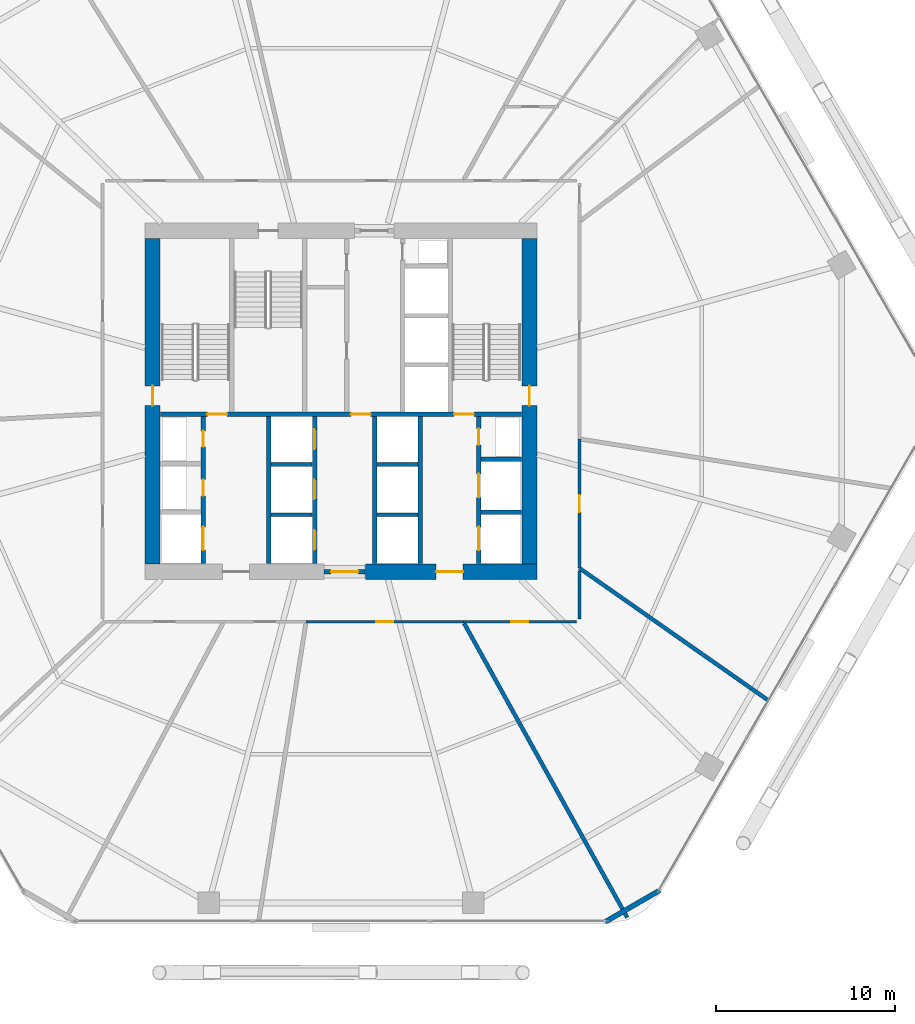
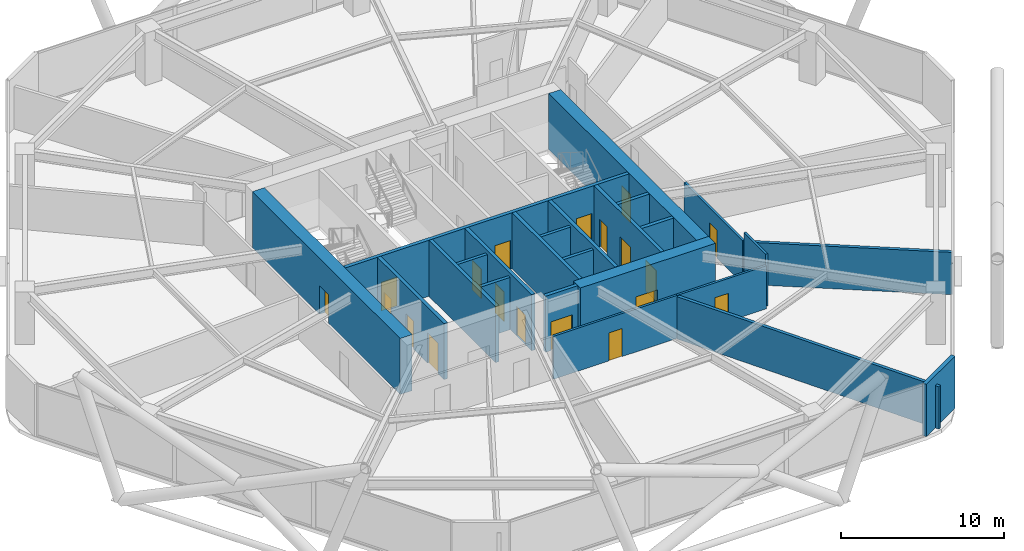
# One storey, part 25 of 30: 24 walls, 19 doors, 19 openings.
"""IFC4 building model written with IfcOpenShell, lengths in metres."""

from ifc_helpers import new_model, si_unit, direction, frame, frame_2d, origin, place, context, subcontext, project, spatial, rectangle, extrude, material, layer, layer_set, type_object, element, fill, save


model = new_model("IFC4")

# Units and contexts
model_context = context("Model", 3, precision=1e-05, world=origin(), true_north=direction((0.0, 1.0)))
body_context = subcontext(model_context, "Body", "Model", "MODEL_VIEW")
ifc_project = project(units=[si_unit("LENGTHUNIT", "METRE"), si_unit("AREAUNIT", "SQUARE_METRE"), si_unit("VOLUMEUNIT", "CUBIC_METRE"), si_unit("PLANEANGLEUNIT", "RADIAN"), si_unit("MASSUNIT", "GRAM", prefix="KILO")], contexts=[model_context])

# Site, building, storey
site_placement = place(None, origin())
site = spatial("IfcSite", under=ifc_project, at=site_placement, CompositionType="ELEMENT")
building_placement = place(site_placement, origin())
building = spatial("IfcBuilding", under=site, at=building_placement, Name="Zuhravey Tower", CompositionType="ELEMENT")
storey_placement = place(building_placement, frame((0.0, 0.0, 33.0)))
storey = spatial("IfcBuildingStorey", under=building, at=storey_placement, Name="L08", CompositionType="ELEMENT", Elevation=33.0)

# Wall, opening, door
ifc_material_1 = material(Name="Concrete C60/75", Category="concrete")
ifc_layer_1 = layer(ifc_material_1, 0.85009765625)
ifc_layer_set_1 = layer_set([ifc_layer_1], Name="Concrete C60/75")
wall_type_1 = type_object("IfcWallType", Name="Core Shear Wall 850", PredefinedType="SHEAR", material=ifc_layer_set_1)
wall_1_placement = place(storey_placement, frame((37.35009765625, 22.5, 0.0), z_axis=(0.0, 0.0, 1.0), x_axis=(1.0, 0.0, 0.0)))
wall_1 = element("IfcWall", 1, at=wall_1_placement, inside=storey, type_object=wall_type_1, Name="L08 South-East Core Shear Wall CW85", PredefinedType="SHEAR", context=body_context, shape_type="SweptSolid", body=[
    extrude(rectangle(XDim=9.574951171875, YDim=0.85009765625, at=frame_2d((4.78759765625, 0.0))), origin(), (0.0, 0.0, 1.0), 4.199951171875),
])
opening_1_placement = place(wall_1_placement, frame((3.949951171875, 0.0, 0.0)))
opening_1 = element("IfcOpeningElement", 2, at=opening_1_placement, cuts=wall_1, Name="Opening FFD1", PredefinedType="OPENING", context=body_context, shape_type="SweptSolid", body=[
    extrude(rectangle(XDim=1.5, YDim=2.14990234375, at=frame_2d((0.75, 1.074951171875))), frame((0.0, 0.43701171875, 0.0), z_axis=(0.0, -1.0, 0.0), x_axis=(1.0, 0.0, 0.0)), (0.0, 0.0, 1.0), 0.8740234375),
])
ifc_material_2 = material(Name="Galvanised fire-rated steel leaf", Category="steel")
door_type_1 = type_object("IfcDoorType", Name="Firefighting Lobby Double Door 1500x2150", OperationType="DOUBLE_DOOR_SINGLE_SWING", PredefinedType="DOOR", material=ifc_material_2)
door_1_placement = place(opening_1_placement, origin())
door_1 = element("IfcDoor", 3, at=door_1_placement, inside=storey, type_object=door_type_1, Name="L08 Firefighting Lobby East Door", OperationType="DOUBLE_DOOR_SINGLE_SWING", OverallHeight=2.14990234375, OverallWidth=1.5, PredefinedType="DOOR", context=body_context, shape_type="SweptSolid", body=[
    extrude(rectangle(XDim=1.5, YDim=2.14990234375, at=frame_2d((0.75, 1.074951171875))), frame((0.0, 0.02490234375, 0.0), z_axis=(0.0, -1.0, 0.0), x_axis=(1.0, 0.0, 0.0)), (0.0, 0.0, 1.0), 0.050048828125),
])
fill(opening_1, door_1)

wall_2_placement = place(storey_placement, frame((25.5, 22.925048828125, 0.0), z_axis=(0.0, 0.0, 1.0), x_axis=(0.0, 1.0, 0.0)))
wall_2 = element("IfcWall", 4, at=wall_2_placement, inside=storey, type_object=wall_type_1, Name="L08 West Core Shear Wall CW85", PredefinedType="SHEAR", context=body_context, shape_type="SweptSolid", body=[
    extrude(rectangle(XDim=18.14990234375, YDim=0.85009765625, at=frame_2d((9.074951171875, 0.0))), origin(), (0.0, 0.0, 1.0), 4.199951171875),
])
opening_2_placement = place(wall_2_placement, frame((8.824951171875, 0.0, 0.0)))
opening_2 = element("IfcOpeningElement", 5, at=opening_2_placement, cuts=wall_2, Name="Opening STD1", PredefinedType="OPENING", context=body_context, shape_type="SweptSolid", body=[
    extrude(rectangle(XDim=1.10009765625, YDim=2.14990234375, at=frame_2d((0.550048828125, 1.074951171875))), frame((0.0, 0.43701171875, 0.0), z_axis=(0.0, -1.0, 0.0), x_axis=(1.0, 0.0, 0.0)), (0.0, 0.0, 1.0), 0.8740234375),
])
door_type_2 = type_object("IfcDoorType", Name="Protected Stair Fire Door 1100x2150", OperationType="NOTDEFINED", PredefinedType="USERDEFINED", material=ifc_material_2)
door_2_placement = place(opening_2_placement, frame((1.10009765625, 0.0, 0.0), z_axis=(0.0, 0.0, 1.0), x_axis=(-1.0, 0.0, 0.0)))
door_2 = element("IfcDoor", 6, at=door_2_placement, inside=storey, type_object=door_type_2, Name="L08 Stair ST1 Door", ObjectType="EXITDOOR", OperationType="SINGLE_SWING_LEFT", OverallHeight=2.14990234375, OverallWidth=1.10009765625, PredefinedType="USERDEFINED", context=body_context, shape_type="SweptSolid", body=[
    extrude(rectangle(XDim=1.10009765625, YDim=2.14990234375, at=frame_2d((0.550048828125, 1.074951171875))), frame((0.0, 0.02490234375, 0.0), z_axis=(0.0, -1.0, 0.0), x_axis=(1.0, 0.0, 0.0)), (0.0, 0.0, 1.0), 0.050048828125),
])
fill(opening_2, door_2)

wall_3_placement = place(storey_placement, frame((46.5, 22.925048828125, 0.0), z_axis=(0.0, 0.0, 1.0), x_axis=(0.0, 1.0, 0.0)))
wall_3 = element("IfcWall", 7, at=wall_3_placement, inside=storey, type_object=wall_type_1, Name="L08 East Core Shear Wall CW85", PredefinedType="SHEAR", context=body_context, shape_type="SweptSolid", body=[
    extrude(rectangle(XDim=18.14990234375, YDim=0.85009765625, at=frame_2d((9.074951171875, 0.0))), origin(), (0.0, 0.0, 1.0), 4.199951171875),
])
opening_3_placement = place(wall_3_placement, frame((8.824951171875, 0.0, 0.0)))
opening_3 = element("IfcOpeningElement", 8, at=opening_3_placement, cuts=wall_3, Name="Opening STD1", PredefinedType="OPENING", context=body_context, shape_type="SweptSolid", body=[
    extrude(rectangle(XDim=1.10009765625, YDim=2.14990234375, at=frame_2d((0.550048828125, 1.074951171875))), frame((0.0, 0.43701171875, 0.0), z_axis=(0.0, -1.0, 0.0), x_axis=(1.0, 0.0, 0.0)), (0.0, 0.0, 1.0), 0.8740234375),
])
door_3_placement = place(opening_3_placement, origin())
door_3 = element("IfcDoor", 9, at=door_3_placement, inside=storey, type_object=door_type_2, Name="L08 Stair ST2 Door", ObjectType="EXITDOOR", OperationType="SINGLE_SWING_RIGHT", OverallHeight=2.14990234375, OverallWidth=1.10009765625, PredefinedType="USERDEFINED", context=body_context, shape_type="SweptSolid", body=[
    extrude(rectangle(XDim=1.10009765625, YDim=2.14990234375, at=frame_2d((0.550048828125, 1.074951171875))), frame((0.0, 0.02490234375, 0.0), z_axis=(0.0, -1.0, 0.0), x_axis=(1.0, 0.0, 0.0)), (0.0, 0.0, 1.0), 0.050048828125),
])
fill(opening_3, door_3)

ifc_material_3 = material(Name="Gypsum fire-rated stud partition")
ifc_layer_2 = layer(ifc_material_3, 0.159912109375)
ifc_layer_set_2 = layer_set([ifc_layer_2], Name="Gypsum fire-rated stud partition")
wall_type_2 = type_object("IfcWallType", Name="Corridor Fire Partition 160", PredefinedType="PARTITIONING", material=ifc_layer_set_2)
wall_4_placement = place(storey_placement, frame((34.05419921875, 19.715087890625, 0.0), z_axis=(0.0, 0.0, 1.0), x_axis=(1.0, 0.0, 0.0)))
wall_4 = element("IfcWall", 10, at=wall_4_placement, inside=storey, type_object=wall_type_2, Name="L08 IW16 Partition 030", PredefinedType="PARTITIONING", context=body_context, shape_type="SweptSolid", body=[
    extrude(rectangle(XDim=8.755615234375, YDim=0.159912109375, at=frame_2d((4.3779296875, 0.0))), origin(), (0.0, 0.0, 1.0), 3.219970703125),
])
opening_4_placement = place(wall_4_placement, frame((3.902587890625, 0.0, 0.0)))
opening_4 = element("IfcOpeningElement", 11, at=opening_4_placement, cuts=wall_4, Name="Opening IND1", PredefinedType="OPENING", context=body_context, shape_type="SweptSolid", body=[
    extrude(rectangle(XDim=0.949951171875, YDim=2.10009765625, at=frame_2d((0.47509765625, 1.050048828125))), frame((0.0, 0.092041015625, 0.0), z_axis=(0.0, -1.0, 0.0), x_axis=(1.0, 0.0, 0.0)), (0.0, 0.0, 1.0), 0.183837890625),
])
ifc_material_4 = material(Name="Painted engineered timber leaf", Category="wood")
door_type_3 = type_object("IfcDoorType", Name="Internal Room & Bedroom Door 950x2100", OperationType="NOTDEFINED", PredefinedType="DOOR", material=ifc_material_4)
door_4_placement = place(opening_4_placement, frame((0.949951171875, 0.0, 0.0), z_axis=(0.0, 0.0, 1.0), x_axis=(-1.0, 0.0, 0.0)))
door_4 = element("IfcDoor", 12, at=door_4_placement, inside=storey, type_object=door_type_3, Name="L08 Door 030.1", OperationType="SINGLE_SWING_RIGHT", OverallHeight=2.10009765625, OverallWidth=0.949951171875, PredefinedType="DOOR", context=body_context, shape_type="SweptSolid", body=[
    extrude(rectangle(XDim=0.949951171875, YDim=2.10009765625, at=frame_2d((0.47509765625, 1.050048828125))), frame((0.0, 0.02490234375, 0.0), z_axis=(0.0, -1.0, 0.0), x_axis=(1.0, 0.0, 0.0)), (0.0, 0.0, 1.0), 0.050048828125),
])
fill(opening_4, door_4)

wall_5_placement = place(storey_placement, frame((42.809814453125, 19.715087890625, 0.0), z_axis=(0.0, 0.0, 1.0), x_axis=(1.0, 0.0, 0.0)))
wall_5 = element("IfcWall", 13, at=wall_5_placement, inside=storey, type_object=wall_type_2, Name="L08 IW16 Partition 031", PredefinedType="PARTITIONING", context=body_context, shape_type="SweptSolid", body=[
    extrude(rectangle(XDim=6.315185546875, YDim=0.159912109375, at=frame_2d((3.15771484375, 0.0))), origin(), (0.0, 0.0, 1.0), 3.219970703125),
])
opening_5_placement = place(wall_5_placement, frame((2.6826171875, 0.0, 0.0)))
opening_5 = element("IfcOpeningElement", 14, at=opening_5_placement, cuts=wall_5, Name="Opening IND1", PredefinedType="OPENING", context=body_context, shape_type="SweptSolid", body=[
    extrude(rectangle(XDim=0.949951171875, YDim=2.10009765625, at=frame_2d((0.47509765625, 1.050048828125))), frame((0.0, 0.092041015625, 0.0), z_axis=(0.0, -1.0, 0.0), x_axis=(1.0, 0.0, 0.0)), (0.0, 0.0, 1.0), 0.183837890625),
])
door_5_placement = place(opening_5_placement, frame((0.949951171875, 0.0, 0.0), z_axis=(0.0, 0.0, 1.0), x_axis=(-1.0, 0.0, 0.0)))
door_5 = element("IfcDoor", 15, at=door_5_placement, inside=storey, type_object=door_type_3, Name="L08 Door 031.1", OperationType="SINGLE_SWING_LEFT", OverallHeight=2.10009765625, OverallWidth=0.949951171875, PredefinedType="DOOR", context=body_context, shape_type="SweptSolid", body=[
    extrude(rectangle(XDim=0.949951171875, YDim=2.10009765625, at=frame_2d((0.47509765625, 1.050048828125))), frame((0.0, 0.02490234375, 0.0), z_axis=(0.0, -1.0, 0.0), x_axis=(1.0, 0.0, 0.0)), (0.0, 0.0, 1.0), 0.050048828125),
])
fill(opening_5, door_5)

wall_6_placement = place(storey_placement, frame((49.284912109375, 22.69775390625, 0.0), z_axis=(0.0, 0.0, 1.0), x_axis=(0.0, 1.0, 0.0)))
wall_6 = element("IfcWall", 16, at=wall_6_placement, inside=storey, type_object=wall_type_2, Name="L08 IW16 Partition 032", PredefinedType="PARTITIONING", context=body_context, shape_type="SweptSolid", body=[
    extrude(rectangle(XDim=7.1982421875, YDim=0.159912109375, at=frame_2d((3.59912109375, 0.0))), origin(), (0.0, 0.0, 1.0), 3.219970703125),
])
opening_6_placement = place(wall_6_placement, frame((3.1240234375, 0.0, 0.0)))
opening_6 = element("IfcOpeningElement", 17, at=opening_6_placement, cuts=wall_6, Name="Opening IND1", PredefinedType="OPENING", context=body_context, shape_type="SweptSolid", body=[
    extrude(rectangle(XDim=0.949951171875, YDim=2.10009765625, at=frame_2d((0.47509765625, 1.050048828125))), frame((0.0, 0.092041015625, 0.0), z_axis=(0.0, -1.0, 0.0), x_axis=(1.0, 0.0, 0.0)), (0.0, 0.0, 1.0), 0.183837890625),
])
door_6_placement = place(opening_6_placement, frame((0.949951171875, 0.0, 0.0), z_axis=(0.0, 0.0, 1.0), x_axis=(-1.0, 0.0, 0.0)))
door_6 = element("IfcDoor", 18, at=door_6_placement, inside=storey, type_object=door_type_3, Name="L08 Door 032.1", OperationType="SINGLE_SWING_RIGHT", OverallHeight=2.10009765625, OverallWidth=0.949951171875, PredefinedType="DOOR", context=body_context, shape_type="SweptSolid", body=[
    extrude(rectangle(XDim=0.949951171875, YDim=2.10009765625, at=frame_2d((0.47509765625, 1.050048828125))), frame((0.0, 0.02490234375, 0.0), z_axis=(0.0, -1.0, 0.0), x_axis=(1.0, 0.0, 0.0)), (0.0, 0.0, 1.0), 0.050048828125),
])
fill(opening_6, door_6)

# Walls
wall_7_placement = place(storey_placement, frame((49.284912109375, 19.875, 0.0), z_axis=(0.0, 0.0, 1.0), x_axis=(0.0, 1.0, 0.0)))
element("IfcWall", 19, at=wall_7_placement, inside=storey, type_object=wall_type_2, Name="L08 IW16 Partition 060", PredefinedType="PARTITIONING", context=body_context, shape_type="SweptSolid", body=[
    extrude(rectangle(XDim=2.6787109375, YDim=0.159912109375, at=frame_2d((1.33935546875, 0.0))), origin(), (0.0, 0.0, 1.0), 3.919921875),
])
ifc_material_5 = material(Name="Precast concrete C40/50", Category="concrete")
ifc_layer_3 = layer(ifc_material_5, 0.280029296875)
ifc_layer_set_3 = layer_set([ifc_layer_3], Name="Precast concrete C40/50")
wall_type_3 = type_object("IfcWallType", Name="Crown Architectural Wall 280", PredefinedType="SOLIDWALL", material=ifc_layer_set_3)
wall_8_placement = place(storey_placement, frame((53.76123046875, 4.75146484375, 0.0), z_axis=(0.0, 0.0, 1.0), x_axis=(-0.866007452331, -0.500031091541, 0.0)))
element("IfcWall", 20, at=wall_8_placement, inside=storey, type_object=wall_type_3, Name="L08 Rounded Corner Closure Wall EW28-02", PredefinedType="SOLIDWALL", context=body_context, shape_type="SweptSolid", body=[
    extrude(rectangle(XDim=3.514892578125, YDim=0.280029296875, at=frame_2d((1.75732421875, 0.0))), origin(), (0.0, 0.0, 1.0), 3.919921875),
])

# Wall, opening, door
ifc_material_6 = material(Name="Concrete C50/60", Category="concrete")
ifc_layer_4 = layer(ifc_material_6, 0.25)
ifc_layer_set_4 = layer_set([ifc_layer_4], Name="Concrete C50/60")
wall_type_4 = type_object("IfcWallType", Name="Firefighting Shaft & Stair Wall 250", PredefinedType="SOLIDWALL", material=ifc_layer_set_4)
wall_9_placement = place(storey_placement, frame((35.06005859375, 22.5, 0.0), z_axis=(0.0, 0.0, 1.0), x_axis=(1.0, 0.0, 0.0)))
wall_9 = element("IfcWall", 21, at=wall_9_placement, inside=storey, type_object=wall_type_4, Name="L08 FW25 Shaft Wall 001", PredefinedType="SOLIDWALL", context=body_context, shape_type="SweptSolid", body=[
    extrude(rectangle(XDim=2.280029296875, YDim=0.25, at=frame_2d((1.14013671875, 0.0))), origin(), (0.0, 0.0, 1.0), 4.199951171875),
])
opening_7_placement = place(wall_9_placement, frame((0.389892578125, 0.0, 0.0)))
opening_7 = element("IfcOpeningElement", 22, at=opening_7_placement, cuts=wall_9, Name="Opening FFD1", PredefinedType="OPENING", context=body_context, shape_type="SweptSolid", body=[
    extrude(rectangle(XDim=1.5, YDim=2.14990234375, at=frame_2d((0.75, 1.074951171875))), frame((0.0, 0.136962890625, 0.0), z_axis=(0.0, -1.0, 0.0), x_axis=(1.0, 0.0, 0.0)), (0.0, 0.0, 1.0), 0.27392578125),
])
door_7_placement = place(opening_7_placement, frame((1.5, 0.0, 0.0), z_axis=(0.0, 0.0, 1.0), x_axis=(-1.0, 0.0, 0.0)))
door_7 = element("IfcDoor", 23, at=door_7_placement, inside=storey, type_object=door_type_1, Name="L08 South Lift Lobby Exit Door", OperationType="DOUBLE_DOOR_SINGLE_SWING", OverallHeight=2.14990234375, OverallWidth=1.5, PredefinedType="DOOR", context=body_context, shape_type="SweptSolid", body=[
    extrude(rectangle(XDim=1.5, YDim=2.14990234375, at=frame_2d((0.75, 1.074951171875))), frame((0.0, 0.02490234375, 0.0), z_axis=(0.0, -1.0, 0.0), x_axis=(1.0, 0.0, 0.0)), (0.0, 0.0, 1.0), 0.050048828125),
])
fill(opening_7, door_7)

# Wall, openings, doors
wall_10_placement = place(storey_placement, frame((25.949951171875, 31.27490234375, 0.0), z_axis=(0.0, 0.0, 1.0), x_axis=(1.0, 0.0, 0.0)))
wall_10 = element("IfcWall", 24, at=wall_10_placement, inside=storey, type_object=wall_type_4, Name="L08 FW25 Shaft Wall 003", PredefinedType="SOLIDWALL", context=body_context, shape_type="SweptSolid", body=[
    extrude(rectangle(XDim=20.10009765625, YDim=0.25, at=frame_2d((10.050048828125, 0.0))), origin(), (0.0, 0.0, 1.0), 4.199951171875),
])
opening_8_placement = place(wall_10_placement, frame((2.60009765625, 0.0, 0.0)))
opening_8 = element("IfcOpeningElement", 25, at=opening_8_placement, cuts=wall_10, Name="Opening STD1", PredefinedType="OPENING", context=body_context, shape_type="SweptSolid", body=[
    extrude(rectangle(XDim=1.10009765625, YDim=2.14990234375, at=frame_2d((0.550048828125, 1.074951171875))), frame((0.0, 0.136962890625, 0.0), z_axis=(0.0, -1.0, 0.0), x_axis=(1.0, 0.0, 0.0)), (0.0, 0.0, 1.0), 0.27392578125),
])
opening_9_placement = place(wall_10_placement, frame((10.60009765625, 0.0, 0.0)))
opening_9 = element("IfcOpeningElement", 26, at=opening_9_placement, cuts=wall_10, Name="Opening STD1", PredefinedType="OPENING", context=body_context, shape_type="SweptSolid", body=[
    extrude(rectangle(XDim=1.10009765625, YDim=2.14990234375, at=frame_2d((0.550048828125, 1.074951171875))), frame((0.0, 0.136962890625, 0.0), z_axis=(0.0, -1.0, 0.0), x_axis=(1.0, 0.0, 0.0)), (0.0, 0.0, 1.0), 0.27392578125),
])
opening_10_placement = place(wall_10_placement, frame((16.35009765625, 0.0, 0.0)))
opening_10 = element("IfcOpeningElement", 27, at=opening_10_placement, cuts=wall_10, Name="Opening STD1", PredefinedType="OPENING", context=body_context, shape_type="SweptSolid", body=[
    extrude(rectangle(XDim=1.10009765625, YDim=2.14990234375, at=frame_2d((0.550048828125, 1.074951171875))), frame((0.0, 0.136962890625, 0.0), z_axis=(0.0, -1.0, 0.0), x_axis=(1.0, 0.0, 0.0)), (0.0, 0.0, 1.0), 0.27392578125),
])
door_8_placement = place(opening_8_placement, origin())
door_8 = element("IfcDoor", 28, at=door_8_placement, inside=storey, type_object=door_type_2, Name="L08 FFL-W to ST1 Door", ObjectType="EXITDOOR", OperationType="SINGLE_SWING_RIGHT", OverallHeight=2.14990234375, OverallWidth=1.10009765625, PredefinedType="USERDEFINED", context=body_context, shape_type="SweptSolid", body=[
    extrude(rectangle(XDim=1.10009765625, YDim=2.14990234375, at=frame_2d((0.550048828125, 1.074951171875))), frame((0.0, 0.02490234375, 0.0), z_axis=(0.0, -1.0, 0.0), x_axis=(1.0, 0.0, 0.0)), (0.0, 0.0, 1.0), 0.050048828125),
])
fill(opening_8, door_8)
door_9_placement = place(opening_9_placement, origin())
door_9 = element("IfcDoor", 29, at=door_9_placement, inside=storey, type_object=door_type_2, Name="L08 Core Lobby Link Door", ObjectType="EXITDOOR", OperationType="SINGLE_SWING_LEFT", OverallHeight=2.14990234375, OverallWidth=1.10009765625, PredefinedType="USERDEFINED", context=body_context, shape_type="SweptSolid", body=[
    extrude(rectangle(XDim=1.10009765625, YDim=2.14990234375, at=frame_2d((0.550048828125, 1.074951171875))), frame((0.0, 0.02490234375, 0.0), z_axis=(0.0, -1.0, 0.0), x_axis=(1.0, 0.0, 0.0)), (0.0, 0.0, 1.0), 0.050048828125),
])
fill(opening_9, door_9)
door_10_placement = place(opening_10_placement, origin())
door_10 = element("IfcDoor", 30, at=door_10_placement, inside=storey, type_object=door_type_2, Name="L08 FFL-E to ST2 Door", ObjectType="EXITDOOR", OperationType="SINGLE_SWING_RIGHT", OverallHeight=2.14990234375, OverallWidth=1.10009765625, PredefinedType="USERDEFINED", context=body_context, shape_type="SweptSolid", body=[
    extrude(rectangle(XDim=1.10009765625, YDim=2.14990234375, at=frame_2d((0.550048828125, 1.074951171875))), frame((0.0, 0.02490234375, 0.0), z_axis=(0.0, -1.0, 0.0), x_axis=(1.0, 0.0, 0.0)), (0.0, 0.0, 1.0), 0.050048828125),
])
fill(opening_10, door_10)

wall_11_placement = place(storey_placement, frame((28.324951171875, 22.949951171875, 0.0), z_axis=(0.0, 0.0, 1.0), x_axis=(0.0, 1.0, 0.0)))
wall_11 = element("IfcWall", 31, at=wall_11_placement, inside=storey, type_object=wall_type_4, Name="L08 FW25 Shaft Wall 011", PredefinedType="SOLIDWALL", context=body_context, shape_type="SweptSolid", body=[
    extrude(rectangle(XDim=8.199951171875, YDim=0.25, at=frame_2d((4.10009765625, 0.0))), origin(), (0.0, 0.0, 1.0), 4.199951171875),
])
opening_11_placement = place(wall_11_placement, frame((0.75, 0.0, 0.0)))
opening_11 = element("IfcOpeningElement", 32, at=opening_11_placement, cuts=wall_11, Name="Opening LD2", PredefinedType="OPENING", context=body_context, shape_type="SweptSolid", body=[
    extrude(rectangle(XDim=1.300048828125, YDim=2.300048828125, at=frame_2d((0.64990234375, 1.14990234375))), frame((0.0, 0.136962890625, 0.0), z_axis=(0.0, -1.0, 0.0), x_axis=(1.0, 0.0, 0.0)), (0.0, 0.0, 1.0), 0.27392578125),
])
opening_12_placement = place(wall_11_placement, frame((3.780029296875, 0.0, 0.0)))
opening_12 = element("IfcOpeningElement", 33, at=opening_12_placement, cuts=wall_11, Name="Opening RSD1", PredefinedType="OPENING", context=body_context, shape_type="SweptSolid", body=[
    extrude(rectangle(XDim=0.89990234375, YDim=2.10009765625, at=frame_2d((0.449951171875, 1.050048828125))), frame((0.0, 0.136962890625, 0.0), z_axis=(0.0, -1.0, 0.0), x_axis=(1.0, 0.0, 0.0)), (0.0, 0.0, 1.0), 0.27392578125),
])
opening_13_placement = place(wall_11_placement, frame((6.5, 0.0, 0.0)))
opening_13 = element("IfcOpeningElement", 34, at=opening_13_placement, cuts=wall_11, Name="Opening RSD1", PredefinedType="OPENING", context=body_context, shape_type="SweptSolid", body=[
    extrude(rectangle(XDim=0.89990234375, YDim=2.10009765625, at=frame_2d((0.449951171875, 1.050048828125))), frame((0.0, 0.136962890625, 0.0), z_axis=(0.0, -1.0, 0.0), x_axis=(1.0, 0.0, 0.0)), (0.0, 0.0, 1.0), 0.27392578125),
])
ifc_material_7 = material(Name="Brushed stainless steel", Category="steel")
door_type_4 = type_object("IfcDoorType", Name="Freight & Stretcher Lift Sliding Door 1300x2300", OperationType="DOUBLE_DOOR_SLIDING", PredefinedType="DOOR", material=ifc_material_7)
door_11_placement = place(opening_11_placement, frame((1.300048828125, 0.0, 0.0), z_axis=(0.0, 0.0, 1.0), x_axis=(-1.0, 0.0, 0.0)))
door_11 = element("IfcDoor", 35, at=door_11_placement, inside=storey, type_object=door_type_4, Name="L08 Lift FF1 Landing Door", OperationType="DOUBLE_DOOR_SLIDING", OverallHeight=2.300048828125, OverallWidth=1.300048828125, PredefinedType="DOOR", context=body_context, shape_type="SweptSolid", body=[
    extrude(rectangle(XDim=1.300048828125, YDim=2.300048828125, at=frame_2d((0.64990234375, 1.14990234375))), frame((0.0, 0.02490234375, 0.0), z_axis=(0.0, -1.0, 0.0), x_axis=(1.0, 0.0, 0.0)), (0.0, 0.0, 1.0), 0.050048828125),
])
fill(opening_11, door_11)
ifc_material_8 = material(Name="Galvanised fire-rated steel access leaf", Category="steel")
door_type_5 = type_object("IfcDoorType", Name="Riser & Shaft Access Fire Door 900x2100", OperationType="NOTDEFINED", PredefinedType="DOOR", material=ifc_material_8)
door_12_placement = place(opening_12_placement, frame((0.89990234375, 0.0, 0.0), z_axis=(0.0, 0.0, 1.0), x_axis=(-1.0, 0.0, 0.0)))
door_12 = element("IfcDoor", 36, at=door_12_placement, inside=storey, type_object=door_type_5, Name="L08 Electrical Riser Door", OperationType="SINGLE_SWING_RIGHT", OverallHeight=2.10009765625, OverallWidth=0.89990234375, PredefinedType="DOOR", context=body_context, shape_type="SweptSolid", body=[
    extrude(rectangle(XDim=0.89990234375, YDim=2.10009765625, at=frame_2d((0.449951171875, 1.050048828125))), frame((0.0, 0.02490234375, 0.0), z_axis=(0.0, -1.0, 0.0), x_axis=(1.0, 0.0, 0.0)), (0.0, 0.0, 1.0), 0.050048828125),
])
fill(opening_12, door_12)
door_13_placement = place(opening_13_placement, frame((0.89990234375, 0.0, 0.0), z_axis=(0.0, 0.0, 1.0), x_axis=(-1.0, 0.0, 0.0)))
door_13 = element("IfcDoor", 37, at=door_13_placement, inside=storey, type_object=door_type_5, Name="L08 Smoke Shaft Access Door", OperationType="SINGLE_SWING_LEFT", OverallHeight=2.10009765625, OverallWidth=0.89990234375, PredefinedType="DOOR", context=body_context, shape_type="SweptSolid", body=[
    extrude(rectangle(XDim=0.89990234375, YDim=2.10009765625, at=frame_2d((0.449951171875, 1.050048828125))), frame((0.0, 0.02490234375, 0.0), z_axis=(0.0, -1.0, 0.0), x_axis=(1.0, 0.0, 0.0)), (0.0, 0.0, 1.0), 0.050048828125),
])
fill(opening_13, door_13)

# Wall
wall_12_placement = place(storey_placement, frame((31.97509765625, 22.949951171875, 0.0), z_axis=(0.0, 0.0, 1.0), x_axis=(0.0, 1.0, 0.0)))
element("IfcWall", 38, at=wall_12_placement, inside=storey, type_object=wall_type_4, Name="L08 FW25 Shaft Wall 012", PredefinedType="SOLIDWALL", context=body_context, shape_type="SweptSolid", body=[
    extrude(rectangle(XDim=8.199951171875, YDim=0.25, at=frame_2d((4.10009765625, 0.0))), origin(), (0.0, 0.0, 1.0), 4.199951171875),
])

# Wall, openings, doors
wall_13_placement = place(storey_placement, frame((34.52490234375, 22.949951171875, 0.0), z_axis=(0.0, 0.0, 1.0), x_axis=(0.0, 1.0, 0.0)))
wall_13 = element("IfcWall", 39, at=wall_13_placement, inside=storey, type_object=wall_type_4, Name="L08 FW25 Shaft Wall 013", PredefinedType="SOLIDWALL", context=body_context, shape_type="SweptSolid", body=[
    extrude(rectangle(XDim=8.199951171875, YDim=0.25, at=frame_2d((4.10009765625, 0.0))), origin(), (0.0, 0.0, 1.0), 4.199951171875),
])
opening_14_placement = place(wall_13_placement, frame((0.77490234375, 0.0, 0.0)))
opening_14 = element("IfcOpeningElement", 40, at=opening_14_placement, cuts=wall_13, Name="Opening LD1", PredefinedType="OPENING", context=body_context, shape_type="SweptSolid", body=[
    extrude(rectangle(XDim=1.10009765625, YDim=2.199951171875, at=frame_2d((0.550048828125, 1.10009765625))), frame((0.0, 0.136962890625, 0.0), z_axis=(0.0, -1.0, 0.0), x_axis=(1.0, 0.0, 0.0)), (0.0, 0.0, 1.0), 0.27392578125),
])
opening_15_placement = place(wall_13_placement, frame((3.574951171875, 0.0, 0.0)))
opening_15 = element("IfcOpeningElement", 41, at=opening_15_placement, cuts=wall_13, Name="Opening LD1", PredefinedType="OPENING", context=body_context, shape_type="SweptSolid", body=[
    extrude(rectangle(XDim=1.10009765625, YDim=2.199951171875, at=frame_2d((0.550048828125, 1.10009765625))), frame((0.0, 0.136962890625, 0.0), z_axis=(0.0, -1.0, 0.0), x_axis=(1.0, 0.0, 0.0)), (0.0, 0.0, 1.0), 0.27392578125),
])
opening_16_placement = place(wall_13_placement, frame((6.375, 0.0, 0.0)))
opening_16 = element("IfcOpeningElement", 42, at=opening_16_placement, cuts=wall_13, Name="Opening LD1", PredefinedType="OPENING", context=body_context, shape_type="SweptSolid", body=[
    extrude(rectangle(XDim=1.10009765625, YDim=2.199951171875, at=frame_2d((0.550048828125, 1.10009765625))), frame((0.0, 0.136962890625, 0.0), z_axis=(0.0, -1.0, 0.0), x_axis=(1.0, 0.0, 0.0)), (0.0, 0.0, 1.0), 0.27392578125),
])
door_type_6 = type_object("IfcDoorType", Name="Lift Landing Sliding Door 1100x2200", OperationType="DOUBLE_DOOR_SLIDING", PredefinedType="DOOR", material=ifc_material_7)
door_14_placement = place(opening_14_placement, frame((1.10009765625, 0.0, 0.0), z_axis=(0.0, 0.0, 1.0), x_axis=(-1.0, 0.0, 0.0)))
door_14 = element("IfcDoor", 43, at=door_14_placement, inside=storey, type_object=door_type_6, Name="L08 Lift PL1 Landing Door", OperationType="DOUBLE_DOOR_SLIDING", OverallHeight=2.199951171875, OverallWidth=1.10009765625, PredefinedType="DOOR", context=body_context, shape_type="SweptSolid", body=[
    extrude(rectangle(XDim=1.10009765625, YDim=2.199951171875, at=frame_2d((0.550048828125, 1.10009765625))), frame((0.0, 0.02490234375, 0.0), z_axis=(0.0, -1.0, 0.0), x_axis=(1.0, 0.0, 0.0)), (0.0, 0.0, 1.0), 0.050048828125),
])
fill(opening_14, door_14)
door_15_placement = place(opening_15_placement, frame((1.10009765625, 0.0, 0.0), z_axis=(0.0, 0.0, 1.0), x_axis=(-1.0, 0.0, 0.0)))
door_15 = element("IfcDoor", 44, at=door_15_placement, inside=storey, type_object=door_type_6, Name="L08 Lift PL2 Landing Door", OperationType="DOUBLE_DOOR_SLIDING", OverallHeight=2.199951171875, OverallWidth=1.10009765625, PredefinedType="DOOR", context=body_context, shape_type="SweptSolid", body=[
    extrude(rectangle(XDim=1.10009765625, YDim=2.199951171875, at=frame_2d((0.550048828125, 1.10009765625))), frame((0.0, 0.02490234375, 0.0), z_axis=(0.0, -1.0, 0.0), x_axis=(1.0, 0.0, 0.0)), (0.0, 0.0, 1.0), 0.050048828125),
])
fill(opening_15, door_15)
door_16_placement = place(opening_16_placement, frame((1.10009765625, 0.0, 0.0), z_axis=(0.0, 0.0, 1.0), x_axis=(-1.0, 0.0, 0.0)))
door_16 = element("IfcDoor", 45, at=door_16_placement, inside=storey, type_object=door_type_6, Name="L08 Lift PL3 Landing Door", OperationType="DOUBLE_DOOR_SLIDING", OverallHeight=2.199951171875, OverallWidth=1.10009765625, PredefinedType="DOOR", context=body_context, shape_type="SweptSolid", body=[
    extrude(rectangle(XDim=1.10009765625, YDim=2.199951171875, at=frame_2d((0.550048828125, 1.10009765625))), frame((0.0, 0.02490234375, 0.0), z_axis=(0.0, -1.0, 0.0), x_axis=(1.0, 0.0, 0.0)), (0.0, 0.0, 1.0), 0.050048828125),
])
fill(opening_16, door_16)

# Walls
for number, where, z_axis, x_axis, name in (
    (46, (37.875, 22.949951171875, 0.0), (0.0, 0.0, 1.0), (0.0, 1.0, 0.0), "L08 FW25 Shaft Wall 014"),
    (47, (40.425048828125, 22.949951171875, 0.0), (0.0, 0.0, 1.0), (0.0, 1.0, 0.0), "L08 FW25 Shaft Wall 015"),
):
    element("IfcWall", number, at=place(storey_placement, frame(where, z_axis=z_axis, x_axis=x_axis)), inside=storey, type_object=wall_type_4, Name=name, PredefinedType="SOLIDWALL", context=body_context, shape_type="SweptSolid", body=[
        extrude(rectangle(XDim=8.199951171875, YDim=0.25, at=frame_2d((4.10009765625, 0.0))), origin(), (0.0, 0.0, 1.0), 4.199951171875),
    ])
for number, where, z_axis, x_axis, name in (
    (48, (43.800048828125, 25.824951171875, 0.0), (0.0, 0.0, 1.0), (1.0, 0.0, 0.0), "L08 FW25 Shaft Wall 016"),
    (49, (43.800048828125, 28.77490234375, 0.0), (0.0, 0.0, 1.0), (1.0, 0.0, 0.0), "L08 FW25 Shaft Wall 017"),
):
    element("IfcWall", number, at=place(storey_placement, frame(where, z_axis=z_axis, x_axis=x_axis)), inside=storey, type_object=wall_type_4, Name=name, PredefinedType="SOLIDWALL", context=body_context, shape_type="SweptSolid", body=[
        extrude(rectangle(XDim=2.25, YDim=0.25, at=frame_2d((1.125, 0.0))), origin(), (0.0, 0.0, 1.0), 4.199951171875),
    ])

# Wall, openings, doors
wall_14_placement = place(storey_placement, frame((43.675048828125, 22.949951171875, 0.0), z_axis=(0.0, 0.0, 1.0), x_axis=(0.0, 1.0, 0.0)))
wall_14 = element("IfcWall", 50, at=wall_14_placement, inside=storey, type_object=wall_type_4, Name="L08 FW25 Shaft Wall 018", PredefinedType="SOLIDWALL", context=body_context, shape_type="SweptSolid", body=[
    extrude(rectangle(XDim=8.199951171875, YDim=0.25, at=frame_2d((4.10009765625, 0.0))), origin(), (0.0, 0.0, 1.0), 4.199951171875),
])
opening_17_placement = place(wall_14_placement, frame((0.75, 0.0, 0.0)))
opening_17 = element("IfcOpeningElement", 51, at=opening_17_placement, cuts=wall_14, Name="Opening LD2", PredefinedType="OPENING", context=body_context, shape_type="SweptSolid", body=[
    extrude(rectangle(XDim=1.300048828125, YDim=2.300048828125, at=frame_2d((0.64990234375, 1.14990234375))), frame((0.0, 0.136962890625, 0.0), z_axis=(0.0, -1.0, 0.0), x_axis=(1.0, 0.0, 0.0)), (0.0, 0.0, 1.0), 0.27392578125),
])
opening_18_placement = place(wall_14_placement, frame((3.699951171875, 0.0, 0.0)))
opening_18 = element("IfcOpeningElement", 52, at=opening_18_placement, cuts=wall_14, Name="Opening LD2", PredefinedType="OPENING", context=body_context, shape_type="SweptSolid", body=[
    extrude(rectangle(XDim=1.300048828125, YDim=2.300048828125, at=frame_2d((0.64990234375, 1.14990234375))), frame((0.0, 0.136962890625, 0.0), z_axis=(0.0, -1.0, 0.0), x_axis=(1.0, 0.0, 0.0)), (0.0, 0.0, 1.0), 0.27392578125),
])
opening_19_placement = place(wall_14_placement, frame((6.6201171875, 0.0, 0.0)))
opening_19 = element("IfcOpeningElement", 53, at=opening_19_placement, cuts=wall_14, Name="Opening RSD1", PredefinedType="OPENING", context=body_context, shape_type="SweptSolid", body=[
    extrude(rectangle(XDim=0.89990234375, YDim=2.10009765625, at=frame_2d((0.449951171875, 1.050048828125))), frame((0.0, 0.136962890625, 0.0), z_axis=(0.0, -1.0, 0.0), x_axis=(1.0, 0.0, 0.0)), (0.0, 0.0, 1.0), 0.27392578125),
])
door_17_placement = place(opening_17_placement, origin())
door_17 = element("IfcDoor", 54, at=door_17_placement, inside=storey, type_object=door_type_4, Name="L08 Lift FF2 Landing Door", OperationType="DOUBLE_DOOR_SLIDING", OverallHeight=2.300048828125, OverallWidth=1.300048828125, PredefinedType="DOOR", context=body_context, shape_type="SweptSolid", body=[
    extrude(rectangle(XDim=1.300048828125, YDim=2.300048828125, at=frame_2d((0.64990234375, 1.14990234375))), frame((0.0, 0.02490234375, 0.0), z_axis=(0.0, -1.0, 0.0), x_axis=(1.0, 0.0, 0.0)), (0.0, 0.0, 1.0), 0.050048828125),
])
fill(opening_17, door_17)
door_18_placement = place(opening_18_placement, origin())
door_18 = element("IfcDoor", 55, at=door_18_placement, inside=storey, type_object=door_type_4, Name="L08 Lift SV1 Landing Door", OperationType="DOUBLE_DOOR_SLIDING", OverallHeight=2.300048828125, OverallWidth=1.300048828125, PredefinedType="DOOR", context=body_context, shape_type="SweptSolid", body=[
    extrude(rectangle(XDim=1.300048828125, YDim=2.300048828125, at=frame_2d((0.64990234375, 1.14990234375))), frame((0.0, 0.02490234375, 0.0), z_axis=(0.0, -1.0, 0.0), x_axis=(1.0, 0.0, 0.0)), (0.0, 0.0, 1.0), 0.050048828125),
])
fill(opening_18, door_18)
door_19_placement = place(opening_19_placement, origin())
door_19 = element("IfcDoor", 56, at=door_19_placement, inside=storey, type_object=door_type_5, Name="L08 Plumbing Riser Door", OperationType="SINGLE_SWING_RIGHT", OverallHeight=2.10009765625, OverallWidth=0.89990234375, PredefinedType="DOOR", context=body_context, shape_type="SweptSolid", body=[
    extrude(rectangle(XDim=0.89990234375, YDim=2.10009765625, at=frame_2d((0.449951171875, 1.050048828125))), frame((0.0, 0.02490234375, 0.0), z_axis=(0.0, -1.0, 0.0), x_axis=(1.0, 0.0, 0.0)), (0.0, 0.0, 1.0), 0.050048828125),
])
fill(opening_19, door_19)

# Walls
ifc_material_9 = material(Name="Gypsum acoustic stud assembly")
ifc_layer_5 = layer(ifc_material_9, 0.219970703125)
ifc_layer_set_5 = layer_set([ifc_layer_5], Name="Gypsum acoustic stud assembly")
wall_type_5 = type_object("IfcWallType", Name="School Acoustic Compartment Wall 220", PredefinedType="PARTITIONING", material=ifc_layer_set_5)
for number, where, z_axis, x_axis, name in (
    (57, (32.10791015625, 25.675048828125, 0.0), (0.0, 0.0, 1.0), (1.0, 0.0, 0.0), "L08 IW22 Partition 038"),
    (58, (32.10791015625, 28.47509765625, 0.0), (0.0, 0.0, 1.0), (1.0, 0.0, 0.0), "L08 IW22 Partition 039"),
):
    element("IfcWall", number, at=place(storey_placement, frame(where, z_axis=z_axis, x_axis=x_axis)), inside=storey, type_object=wall_type_5, Name=name, PredefinedType="PARTITIONING", context=body_context, shape_type="SweptSolid", body=[
        extrude(rectangle(XDim=2.2841796875, YDim=0.219970703125, at=frame_2d((1.14208984375, 0.0))), origin(), (0.0, 0.0, 1.0), 3.919921875),
    ])
for number, where, z_axis, x_axis, name in (
    (59, (38.008056640625, 25.675048828125, 0.0), (0.0, 0.0, 1.0), (1.0, 0.0, 0.0), "L08 IW22 Partition 040"),
    (60, (38.008056640625, 28.47509765625, 0.0), (0.0, 0.0, 1.0), (1.0, 0.0, 0.0), "L08 IW22 Partition 041"),
):
    element("IfcWall", number, at=place(storey_placement, frame(where, z_axis=z_axis, x_axis=x_axis)), inside=storey, type_object=wall_type_5, Name=name, PredefinedType="PARTITIONING", context=body_context, shape_type="SweptSolid", body=[
        extrude(rectangle(XDim=2.283935546875, YDim=0.219970703125, at=frame_2d((1.14208984375, 0.0))), origin(), (0.0, 0.0, 1.0), 3.919921875),
    ])
wall_15_placement = place(storey_placement, frame((42.8583984375, 19.626953125, 0.0), z_axis=(0.0, 0.0, 1.0), x_axis=(0.484814111505, -0.874617217579, 0.0)))
element("IfcWall", 61, at=wall_15_placement, inside=storey, type_object=wall_type_5, Name="L08 IW22 Partition 058", PredefinedType="PARTITIONING", context=body_context, shape_type="SweptSolid", body=[
    extrude(rectangle(XDim=18.737548828125, YDim=0.219970703125, at=frame_2d((9.36865234375, 0.0))), origin(), (0.0, 0.0, 1.0), 3.169921875),
])
wall_16_placement = place(storey_placement, frame((49.284912109375, 22.69775390625, 0.0), z_axis=(0.0, 0.0, 1.0), x_axis=(0.819154265409, -0.57357326425, 0.0)))
element("IfcWall", 62, at=wall_16_placement, inside=storey, type_object=wall_type_5, Name="L08 IW22 Partition 059", PredefinedType="PARTITIONING", context=body_context, shape_type="SweptSolid", body=[
    extrude(rectangle(XDim=12.85107421875, YDim=0.219970703125, at=frame_2d((6.425537109375, 0.0))), origin(), (0.0, 0.0, 1.0), 3.169921875),
])

save(model, "model.ifc")
